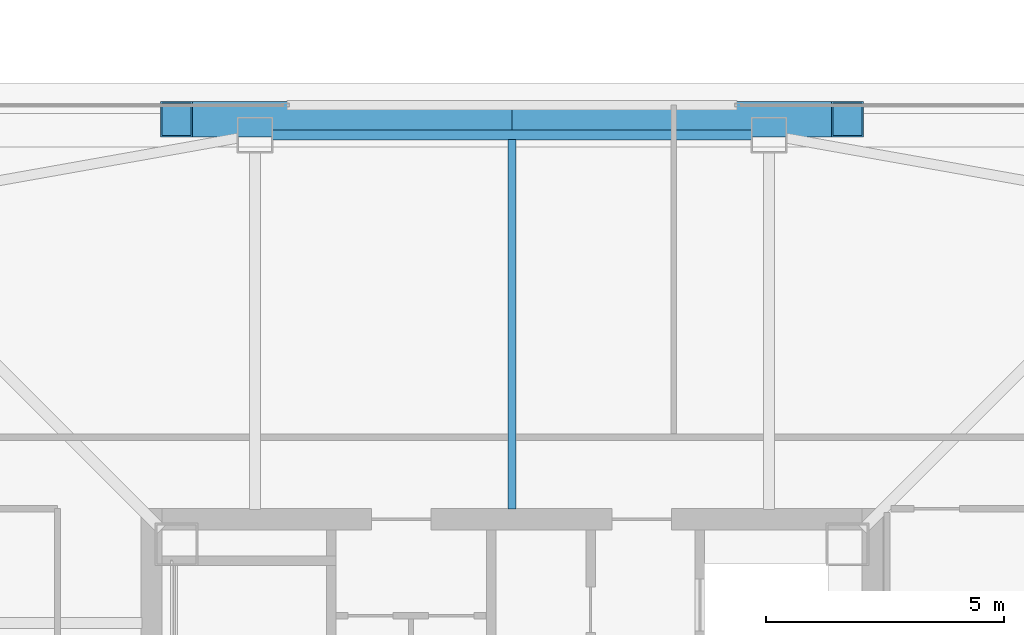
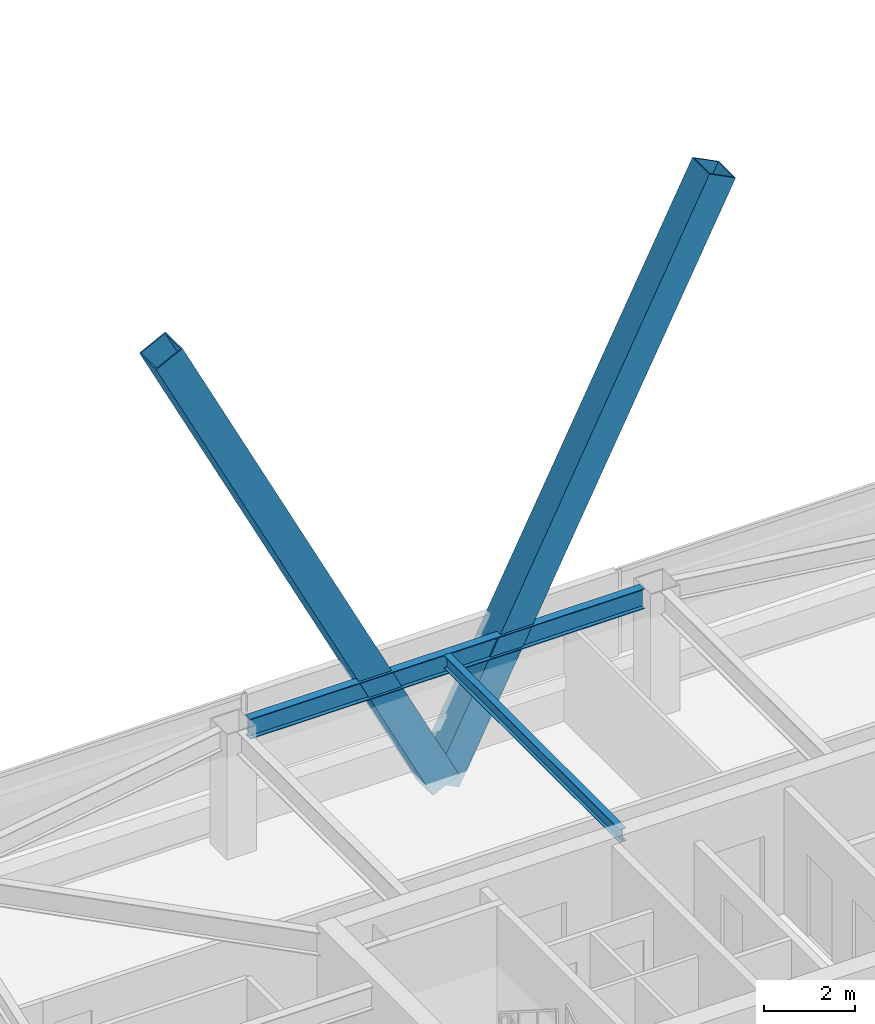
# One storey, part 15 of 47: 2 beams, 2 members.
"""IFC4 building model written with IfcOpenShell, lengths in metres."""

from ifc_helpers import new_model, si_unit, direction, frame, origin, origin_2d, place, context, subcontext, project, spatial, hollow_rectangle, i_section, extrude, material, material_profile, profile_set, type_object, element, save


model = new_model("IFC4")

# Units and contexts
model_context = context("Model", 3, precision=1e-05, world=origin(), true_north=direction((0.0, 1.0)))
body_context = subcontext(model_context, "Body", "Model", "MODEL_VIEW")
ifc_project = project(units=[si_unit("LENGTHUNIT", "METRE"), si_unit("AREAUNIT", "SQUARE_METRE"), si_unit("VOLUMEUNIT", "CUBIC_METRE"), si_unit("PLANEANGLEUNIT", "RADIAN"), si_unit("MASSUNIT", "GRAM", prefix="KILO")], contexts=[model_context])

# Site, building, storey
site_placement = place(None, origin())
site = spatial("IfcSite", under=ifc_project, at=site_placement, CompositionType="ELEMENT")
building_placement = place(site_placement, origin())
building = spatial("IfcBuilding", under=site, at=building_placement, Name="Tashvorn Skyway Center", CompositionType="ELEMENT")
storey_placement = place(building_placement, frame((0.0, 0.0, 204.199951171875)))
storey = spatial("IfcBuildingStorey", under=building, at=storey_placement, Name="L55", CompositionType="ELEMENT", Elevation=204.199951171875)

# Beams
ifc_material_1 = material(Name="Steel ASTM A992 Grade 50", Category="steel")
ifc_material_profile_1 = material_profile(ifc_material_1, i_section(OverallWidth=0.1708984375, OverallDepth=0.35498046875, WebThickness=0.007080078125, FlangeThickness=0.01171875, at=origin_2d()), Name="W14X34")
ifc_profile_set_1 = profile_set([ifc_material_profile_1], Name="Steel ASTM A992 Grade 50")
beam_type_1 = type_object("IfcBeamType", Name="BM-JOIST-W14X34", PredefinedType="JOIST", material=ifc_profile_set_1)
beam_1_placement = place(storey_placement, frame((42.0, 39.7900390625, 3.192626953125), z_axis=(0.0, 1.0, 0.0), x_axis=(-1.0, 0.0, 0.0)))
element("IfcBeam", 1, at=beam_1_placement, inside=storey, type_object=beam_type_1, Name="Tower 1 L55 Secondary Composite Joist JN", PredefinedType="JOIST", context=body_context, shape_type="SweptSolid", body=[
    extrude(i_section(OverallWidth=0.1708984375, OverallDepth=0.35498046875, WebThickness=0.007080078125, FlangeThickness=0.01171875, at=origin_2d()), origin(), (0.0, 0.0, 1.0), 7.762451171875),
])
ifc_material_profile_2 = material_profile(ifc_material_1, i_section(OverallWidth=0.2109375, OverallDepth=0.5390625, WebThickness=0.01171875, FlangeThickness=0.018798828125, at=origin_2d()), Name="W21X73")
ifc_profile_set_2 = profile_set([ifc_material_profile_2], Name="Steel ASTM A992 Grade 50")
beam_type_2 = type_object("IfcBeamType", Name="BM-SPANDREL-W21X73", PredefinedType="SPANDREL", material=ifc_profile_set_2)
beam_2_placement = place(storey_placement, frame((47.030029296875, 47.64990234375, 3.1005859375), z_axis=(-1.0, 0.0, 0.0), x_axis=(0.0, -1.0, 0.0)))
element("IfcBeam", 2, at=beam_2_placement, inside=storey, type_object=beam_type_2, Name="Tower 1 L55 Spandrel Beam 08", PredefinedType="SPANDREL", context=body_context, shape_type="SweptSolid", body=[
    extrude(i_section(OverallWidth=0.2109375, OverallDepth=0.5390625, WebThickness=0.01171875, FlangeThickness=0.018798828125, at=origin_2d()), origin(), (0.0, 0.0, 1.0), 10.06005859375),
])

# Members
ifc_material_2 = material(Name="Steel ASTM A572 Grade 50", Category="steel")
ifc_material_profile_3 = material_profile(ifc_material_2, hollow_rectangle(XDim=0.75, YDim=0.75, WallThickness=0.031982421875, at=origin_2d()), Name="BOX750x750x32")
ifc_profile_set_3 = profile_set([ifc_material_profile_3], Name="Steel ASTM A572 Grade 50")
member_type = type_object("IfcMemberType", Name="MEM-MB-750", PredefinedType="BRACE", material=ifc_profile_set_3)
for number, where, z_axis, x_axis, name in (
    (3, (42.0, 47.97998046875, -0.199951171875), (0.451051930666, 0.0, 0.892497706351), (0.0, 1.0, 0.0), "Tower 1 Zone 5 N Chevron Mega-Brace L1"),
    (4, (42.0, 47.97998046875, -0.199951171875), (-0.451051930666, 0.0, 0.892497706351), (0.0, -1.0, 0.0), "Tower 1 Zone 5 N Chevron Mega-Brace R1"),
):
    element("IfcMember", number, at=place(storey_placement, frame(where, z_axis=z_axis, x_axis=x_axis)), inside=storey, type_object=member_type, Name=name, PredefinedType="BRACE", context=body_context, shape_type="SweptSolid", body=[
        extrude(hollow_rectangle(XDim=0.75, YDim=0.75, WallThickness=0.031982421875, at=origin_2d()), origin(), (0.0, 0.0, 1.0), 15.630126953125),
    ])

save(model, "model.ifc")
